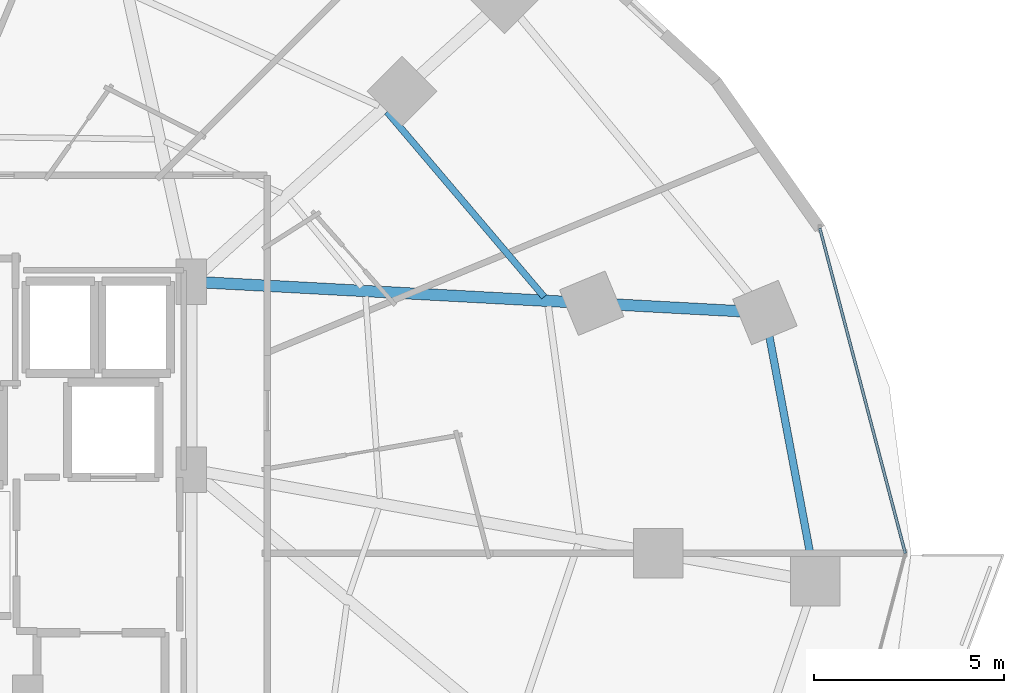
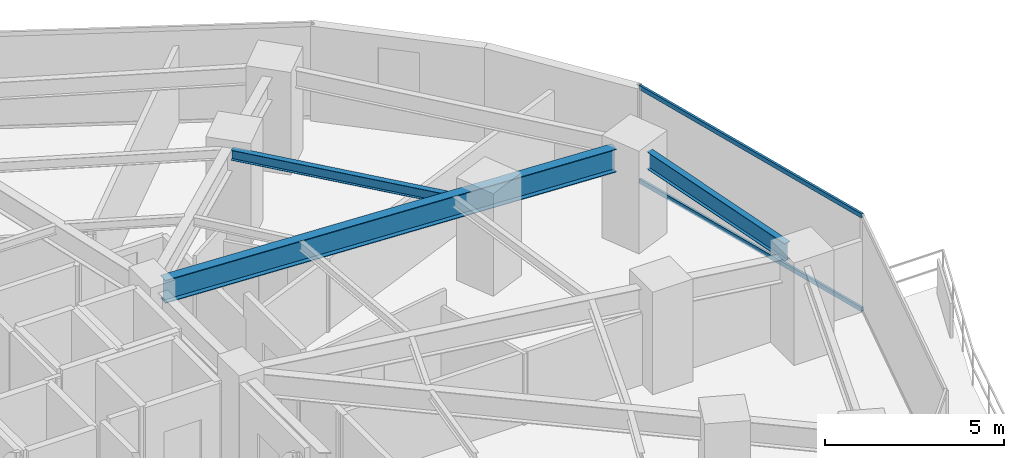
# One storey, part 17 of 34: 3 beams, 2 members, 1 element without a shape of its own.
"""IFC4 building model written with IfcOpenShell, lengths in metres."""

from ifc_helpers import new_model, si_unit, direction, frame, origin, origin_2d, place, context, subcontext, project, spatial, hollow_rectangle, i_section, extrude, material, material_profile, profile_set, type_object, element, aggregate, save


model = new_model("IFC4")

# Units and contexts
model_context = context("Model", 3, precision=1e-05, world=origin(), true_north=direction((0.0, 1.0)))
body_context = subcontext(model_context, "Body", "Model", "MODEL_VIEW")
ifc_project = project(units=[si_unit("LENGTHUNIT", "METRE"), si_unit("AREAUNIT", "SQUARE_METRE"), si_unit("VOLUMEUNIT", "CUBIC_METRE"), si_unit("PLANEANGLEUNIT", "RADIAN"), si_unit("MASSUNIT", "GRAM", prefix="KILO")], contexts=[model_context])

# Site, building, storey
site_placement = place(None, origin())
site = spatial("IfcSite", under=ifc_project, at=site_placement, CompositionType="ELEMENT")
building_placement = place(site_placement, origin())
building = spatial("IfcBuilding", under=site, at=building_placement, Name="Vorneva Point Tower", CompositionType="ELEMENT")
storey_placement = place(building_placement, frame((0.0, 0.0, 31.0)))
storey = spatial("IfcBuildingStorey", under=building, at=storey_placement, Name="L07", CompositionType="ELEMENT", Elevation=31.0)

# Beams
ifc_material_1 = material(Name="Steel S355", Category="steel")
ifc_material_profile_1 = material_profile(ifc_material_1, i_section(OverallWidth=0.300048828125, OverallDepth=0.7880859375, WebThickness=0.014404296875, FlangeThickness=0.02197265625, at=origin_2d()), Name="80Sh1")
ifc_profile_set_1 = profile_set([ifc_material_profile_1], Name="Steel S355")
beam_type_1 = type_object("IfcBeamType", Name="BM-GRD-80Sh1", PredefinedType="USERDEFINED", material=ifc_profile_set_1)
beam_1_placement = place(storey_placement, frame((63.21728515625, 32.37109375, 2.845947265625), z_axis=(-0.998554288689, 0.053752511954, 0.0), x_axis=(-0.053752511954, -0.998554288689, 0.0)))
element("IfcBeam", 1, at=beam_1_placement, inside=storey, type_object=beam_type_1, Name="L07 Radial Primary Girder 02", ObjectType="GIRDER", PredefinedType="USERDEFINED", context=body_context, shape_type="SweptSolid", body=[
    extrude(i_section(OverallWidth=0.300048828125, OverallDepth=0.7880859375, WebThickness=0.014404296875, FlangeThickness=0.02197265625, at=origin_2d()), origin(), (0.0, 0.0, 1.0), 14.148193359375),
])
ifc_material_profile_2 = material_profile(ifc_material_1, i_section(OverallWidth=0.174072265625, OverallDepth=0.345947265625, WebThickness=0.006103515625, FlangeThickness=0.009033203125, at=origin_2d()), Name="35B1")
ifc_profile_set_2 = profile_set([ifc_material_profile_2], Name="Steel S355")
beam_type_2 = type_object("IfcBeamType", Name="BM-SEC-35B1", PredefinedType="BEAM", material=ifc_profile_set_2)
beam_2_placement = place(storey_placement, frame((58.0419921875, 32.75, 3.06689453125), z_axis=(-0.647289042698, 0.76224464262, 0.0), x_axis=(-0.76224464262, -0.647289042698, 0.0)))
element("IfcBeam", 2, at=beam_2_placement, inside=storey, type_object=beam_type_2, Name="L07 Secondary Floor Beam 1.02", PredefinedType="BEAM", context=body_context, shape_type="SweptSolid", body=[
    extrude(i_section(OverallWidth=0.174072265625, OverallDepth=0.345947265625, WebThickness=0.006103515625, FlangeThickness=0.009033203125, at=origin_2d()), origin(), (0.0, 0.0, 1.0), 6.390380859375),
])
ifc_material_profile_3 = material_profile(ifc_material_1, i_section(OverallWidth=0.198974609375, OverallDepth=0.595947265625, WebThickness=0.010009765625, FlangeThickness=0.014892578125, at=origin_2d()), Name="60B1")
ifc_profile_set_3 = profile_set([ifc_material_profile_3], Name="Steel S355")
beam_type_3 = type_object("IfcBeamType", Name="BM-SPN-60B1", PredefinedType="SPANDREL", material=ifc_profile_set_3)
beam_3_placement = place(storey_placement, frame((65.06494140625, 25.885009765625, 2.94189453125), z_axis=(-0.184383004327, 0.982854469245, 0.0), x_axis=(-0.982854469245, -0.184383004327, 0.0)))
element("IfcBeam", 3, at=beam_3_placement, inside=storey, type_object=beam_type_3, Name="L07 Perimeter Spandrel Ring Beam 01", PredefinedType="SPANDREL", context=body_context, shape_type="SweptSolid", body=[
    extrude(i_section(OverallWidth=0.198974609375, OverallDepth=0.595947265625, WebThickness=0.010009765625, FlangeThickness=0.014892578125, at=origin_2d()), origin(), (0.0, 0.0, 1.0), 5.92919921875),
])

# Curtain wall, members
ifc_material_2 = material(Name="Pale anodised aluminium", Category="aluminium")
curtain_wall_type = type_object("IfcCurtainWallType", Name="CW-HTL-SYS", PredefinedType="NOTDEFINED", material=ifc_material_2)
curtain_wall_placement = place(storey_placement, origin())
curtain_wall = element("IfcCurtainWall", 4, at=curtain_wall_placement, inside=storey, type_object=curtain_wall_type, Name="L07 Unitised Curtain Wall CW-L07-R01", PredefinedType="NOTDEFINED")
ifc_material_profile_4 = material_profile(ifc_material_2, hollow_rectangle(XDim=0.074951171875, YDim=0.14990234375, WallThickness=0.00390625, at=origin_2d()), Name="AL-TRN 150x75x4")
ifc_profile_set_4 = profile_set([ifc_material_profile_4], Name="Pale anodised aluminium")
member_type = type_object("IfcMemberType", Name="CW-TRN-150", PredefinedType="USERDEFINED", material=ifc_profile_set_4)
member_1_placement = place(storey_placement, frame((67.550048828125, 26.0, 0.02001953125), z_axis=(-0.254358772746, 0.967109928978, 0.0), x_axis=(-0.967109928978, -0.254358772746, 0.0)))
member_1 = element("IfcMember", 5, at=member_1_placement, type_object=member_type, Name="CW-L07-R01 Transom 03.1", ObjectType="TRANSOM", PredefinedType="USERDEFINED", context=body_context, shape_type="SweptSolid", body=[
    extrude(hollow_rectangle(XDim=0.074951171875, YDim=0.14990234375, WallThickness=0.00390625, at=origin_2d()), origin(), (0.0, 0.0, 1.0), 8.84375),
])
member_2_placement = place(storey_placement, frame((67.550048828125, 26.0, 3.219970703125), z_axis=(-0.254358772746, 0.967109928978, 0.0), x_axis=(-0.967109928978, -0.254358772746, 0.0)))
member_2 = element("IfcMember", 6, at=member_2_placement, type_object=member_type, Name="CW-L07-R01 Transom 03.2", ObjectType="TRANSOM", PredefinedType="USERDEFINED", context=body_context, shape_type="SweptSolid", body=[
    extrude(hollow_rectangle(XDim=0.074951171875, YDim=0.14990234375, WallThickness=0.00390625, at=origin_2d()), origin(), (0.0, 0.0, 1.0), 8.84375),
])
aggregate(curtain_wall, [member_1, member_2])

save(model, "model.ifc")
